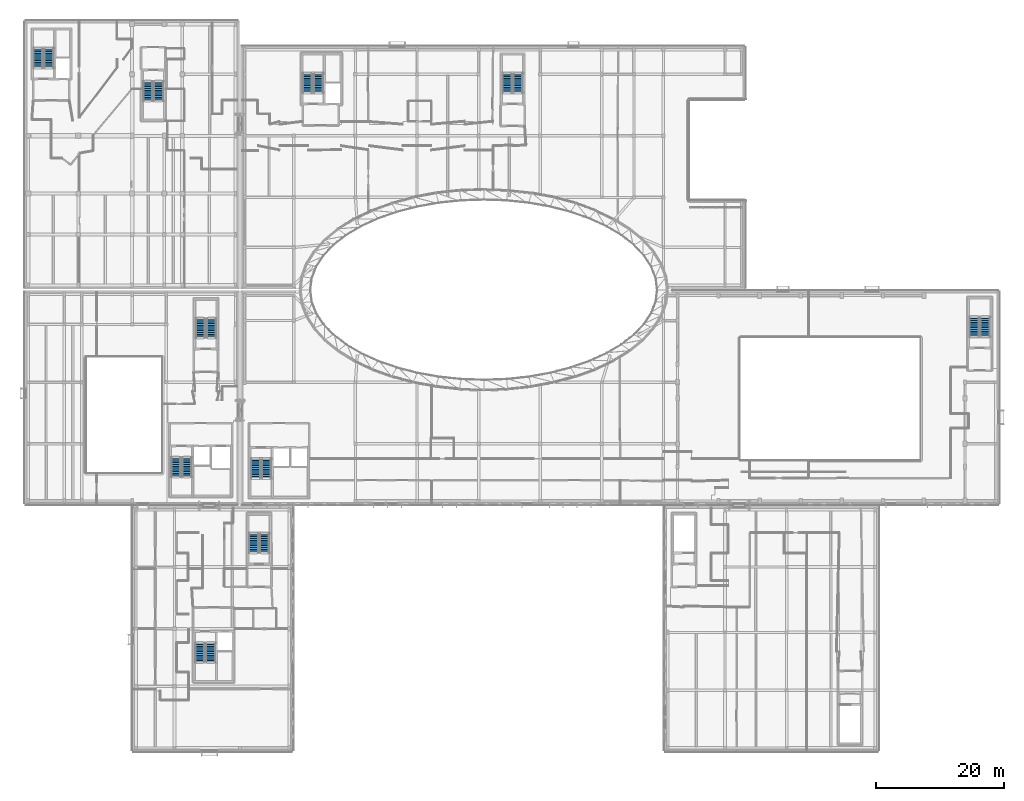
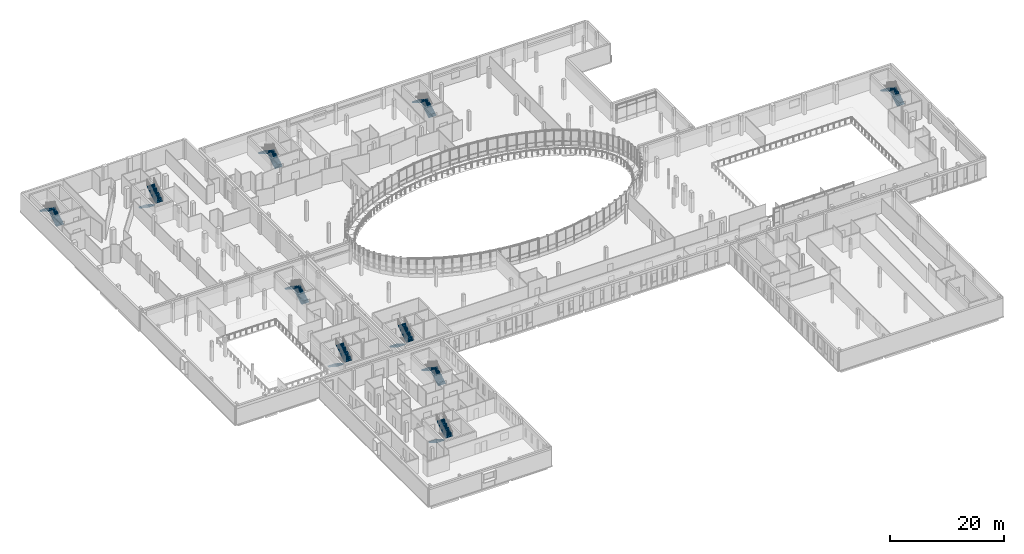
# One storey, part 56 of 84: 20 stair flights, 10 elements without a shape of their own.
"""IFC4 building model written with IfcOpenShell, lengths in metres."""

from ifc_helpers import new_model, si_unit, direction, frame, origin, place, context, subcontext, project, spatial, polyline, outline, extrude, material, type_object, element, aggregate, save


model = new_model("IFC4")

# Units and contexts
model_context = context("Model", 3, precision=1e-05, world=origin(), true_north=direction((0.0, 1.0)))
body_context = subcontext(model_context, "Body", "Model", "MODEL_VIEW")
ifc_project = project(units=[si_unit("LENGTHUNIT", "METRE"), si_unit("AREAUNIT", "SQUARE_METRE"), si_unit("VOLUMEUNIT", "CUBIC_METRE"), si_unit("PLANEANGLEUNIT", "RADIAN"), si_unit("MASSUNIT", "GRAM", prefix="KILO")], contexts=[model_context])

# Site, building, storey
site_placement = place(None, origin())
site = spatial("IfcSite", under=ifc_project, at=site_placement, CompositionType="ELEMENT")
building_placement = place(site_placement, origin())
building = spatial("IfcBuilding", under=site, at=building_placement, Name="Mzevani Central Library", CompositionType="ELEMENT")
storey_placement = place(building_placement, frame((0.0, 0.0, 5.39990234375)))
storey = spatial("IfcBuildingStorey", under=building, at=storey_placement, Name="L01", CompositionType="ELEMENT", Elevation=5.39990234375)

# Stair, stair flights
ifc_material = material(Name="Concrete C35/45", Category="concrete")
stair_type = type_object("IfcStairType", Name="Dogleg Exit Stair 175x280", PredefinedType="HALF_TURN_STAIR", material=ifc_material)
stair_1_placement = place(storey_placement, origin())
stair_1 = element("IfcStair", 1, at=stair_1_placement, inside=storey, type_object=stair_type, Name="L01 Core C1A Reading Hall West Exit Stair ST-02", PredefinedType="HALF_TURN_STAIR")
stair_flight_type = type_object("IfcStairFlightType", Name="Reinforced Concrete Stair Flight 175x280", PredefinedType="STRAIGHT", material=ifc_material)
stair_flight_1_placement = place(storey_placement, frame((48.449951171875, 49.699951171875, 0.0), z_axis=(0.0, 0.0, 1.0), x_axis=(0.0, -1.0, 0.0)))
stair_flight_1 = element("IfcStairFlight", 2, at=stair_flight_1_placement, type_object=stair_flight_type, Name="ST-01 flight 1", NumberOfRisers=12, NumberOfTreads=11, PredefinedType="STRAIGHT", RiserHeight=0.175, TreadLength=0.28, context=body_context, shape_type="SweptSolid", body=[
    extrude(outline(polyline([(0.0, 0.0), (0.0, 0.175048828125), (0.280029296875, 0.175048828125), (0.280029296875, 0.35009765625), (0.56005859375, 0.35009765625), (0.56005859375, 0.52490234375), (0.840087890625, 0.52490234375), (0.840087890625, 0.699951171875), (1.1201171875, 0.699951171875), (1.1201171875, 0.875), (1.39990234375, 0.875), (1.39990234375, 1.050048828125), (1.679931640625, 1.050048828125), (1.679931640625, 1.22509765625), (1.9599609375, 1.22509765625), (1.9599609375, 1.39990234375), (2.239990234375, 1.39990234375), (2.239990234375, 1.574951171875), (2.52001953125, 1.574951171875), (2.52001953125, 1.75), (2.800048828125, 1.75), (2.800048828125, 1.925048828125), (3.080078125, 1.925048828125), (3.080078125, 2.10009765625), (3.080078125, 1.736328125), (0.3017578125, 0.0), (0.0, 0.0)])), frame((0.0, 0.75, 0.0), z_axis=(0.0, -1.0, 0.0), x_axis=(1.0, 0.0, 0.0)), (0.0, 0.0, 1.0), 1.5),
])
stair_flight_2_placement = place(storey_placement, frame((50.14990234375, 46.6201171875, 2.10009765625), z_axis=(0.0, 0.0, 1.0), x_axis=(0.0, 1.0, 0.0)))
stair_flight_2 = element("IfcStairFlight", 3, at=stair_flight_2_placement, type_object=stair_flight_type, Name="ST-01 flight 2", NumberOfRisers=12, NumberOfTreads=11, PredefinedType="STRAIGHT", RiserHeight=0.175, TreadLength=0.28, context=body_context, shape_type="SweptSolid", body=[
    extrude(outline(polyline([(0.0, 0.0), (0.0, 0.175048828125), (0.280029296875, 0.175048828125), (0.280029296875, 0.35009765625), (0.56005859375, 0.35009765625), (0.56005859375, 0.52490234375), (0.840087890625, 0.52490234375), (0.840087890625, 0.699951171875), (1.1201171875, 0.699951171875), (1.1201171875, 0.875), (1.39990234375, 0.875), (1.39990234375, 1.050048828125), (1.679931640625, 1.050048828125), (1.679931640625, 1.22509765625), (1.9599609375, 1.22509765625), (1.9599609375, 1.39990234375), (2.239990234375, 1.39990234375), (2.239990234375, 1.574951171875), (2.52001953125, 1.574951171875), (2.52001953125, 1.75), (2.800048828125, 1.75), (2.800048828125, 1.925048828125), (3.080078125, 1.925048828125), (3.080078125, 2.10009765625), (3.080078125, 1.736328125), (0.3017578125, 0.0), (0.0, 0.0)])), frame((0.0, 0.75, 0.0), z_axis=(0.0, -1.0, 0.0), x_axis=(1.0, 0.0, 0.0)), (0.0, 0.0, 1.0), 1.5),
])
aggregate(stair_1, [stair_flight_1, stair_flight_2])

stair_2_placement = place(storey_placement, origin())
stair_2 = element("IfcStair", 4, at=stair_2_placement, inside=storey, type_object=stair_type, Name="L01 Core C1B Reading Hall East Exit Stair ST-02", PredefinedType="HALF_TURN_STAIR")
stair_flight_3_placement = place(storey_placement, frame((162.14990234375, 68.699951171875, 0.0), z_axis=(0.0, 0.0, 1.0), x_axis=(0.0, 1.0, 0.0)))
stair_flight_3 = element("IfcStairFlight", 5, at=stair_flight_3_placement, type_object=stair_flight_type, Name="ST-02 flight 1", NumberOfRisers=12, NumberOfTreads=11, PredefinedType="STRAIGHT", RiserHeight=0.175, TreadLength=0.28, context=body_context, shape_type="SweptSolid", body=[
    extrude(outline(polyline([(0.0, 0.0), (0.0, 0.175048828125), (0.280029296875, 0.175048828125), (0.280029296875, 0.35009765625), (0.56005859375, 0.35009765625), (0.56005859375, 0.52490234375), (0.840087890625, 0.52490234375), (0.840087890625, 0.699951171875), (1.1201171875, 0.699951171875), (1.1201171875, 0.875), (1.39990234375, 0.875), (1.39990234375, 1.050048828125), (1.679931640625, 1.050048828125), (1.679931640625, 1.22509765625), (1.9599609375, 1.22509765625), (1.9599609375, 1.39990234375), (2.239990234375, 1.39990234375), (2.239990234375, 1.574951171875), (2.52001953125, 1.574951171875), (2.52001953125, 1.75), (2.800048828125, 1.75), (2.800048828125, 1.925048828125), (3.080078125, 1.925048828125), (3.080078125, 2.10009765625), (3.080078125, 1.736328125), (0.3017578125, 0.0), (0.0, 0.0)])), frame((0.0, 0.75, 0.0), z_axis=(0.0, -1.0, 0.0), x_axis=(1.0, 0.0, 0.0)), (0.0, 0.0, 1.0), 1.5),
])
stair_flight_4_placement = place(storey_placement, frame((160.449951171875, 71.780029296875, 2.10009765625), z_axis=(0.0, 0.0, 1.0), x_axis=(0.0, -1.0, 0.0)))
stair_flight_4 = element("IfcStairFlight", 6, at=stair_flight_4_placement, type_object=stair_flight_type, Name="ST-02 flight 2", NumberOfRisers=12, NumberOfTreads=11, PredefinedType="STRAIGHT", RiserHeight=0.175, TreadLength=0.28, context=body_context, shape_type="SweptSolid", body=[
    extrude(outline(polyline([(0.0, 0.0), (0.0, 0.175048828125), (0.280029296875, 0.175048828125), (0.280029296875, 0.35009765625), (0.56005859375, 0.35009765625), (0.56005859375, 0.52490234375), (0.840087890625, 0.52490234375), (0.840087890625, 0.699951171875), (1.1201171875, 0.699951171875), (1.1201171875, 0.875), (1.39990234375, 0.875), (1.39990234375, 1.050048828125), (1.679931640625, 1.050048828125), (1.679931640625, 1.22509765625), (1.9599609375, 1.22509765625), (1.9599609375, 1.39990234375), (2.239990234375, 1.39990234375), (2.239990234375, 1.574951171875), (2.52001953125, 1.574951171875), (2.52001953125, 1.75), (2.800048828125, 1.75), (2.800048828125, 1.925048828125), (3.080078125, 1.925048828125), (3.080078125, 2.10009765625), (3.080078125, 1.736328125), (0.3017578125, 0.0), (0.0, 0.0)])), frame((0.0, 0.75, 0.0), z_axis=(0.0, -1.0, 0.0), x_axis=(1.0, 0.0, 0.0)), (0.0, 0.0, 1.0), 1.5),
])
aggregate(stair_2, [stair_flight_3, stair_flight_4])

stair_3_placement = place(storey_placement, origin())
stair_3 = element("IfcStair", 7, at=stair_3_placement, inside=storey, type_object=stair_type, Name="L01 Core C2A North-West Firefighting Core Exit Stair ST-02", PredefinedType="HALF_TURN_STAIR")
stair_flight_5_placement = place(storey_placement, frame((16.25, 110.60009765625, 0.0), z_axis=(0.0, 0.0, 1.0), x_axis=(0.0, 1.0, 0.0)))
stair_flight_5 = element("IfcStairFlight", 8, at=stair_flight_5_placement, type_object=stair_flight_type, Name="ST-03 flight 1", NumberOfRisers=12, NumberOfTreads=11, PredefinedType="STRAIGHT", RiserHeight=0.175, TreadLength=0.28, context=body_context, shape_type="SweptSolid", body=[
    extrude(outline(polyline([(0.0, 0.0), (0.0, 0.175048828125), (0.280029296875, 0.175048828125), (0.280029296875, 0.35009765625), (0.56005859375, 0.35009765625), (0.56005859375, 0.52490234375), (0.840087890625, 0.52490234375), (0.840087890625, 0.699951171875), (1.1201171875, 0.699951171875), (1.1201171875, 0.875), (1.39990234375, 0.875), (1.39990234375, 1.050048828125), (1.679931640625, 1.050048828125), (1.679931640625, 1.22509765625), (1.9599609375, 1.22509765625), (1.9599609375, 1.39990234375), (2.239990234375, 1.39990234375), (2.239990234375, 1.574951171875), (2.52001953125, 1.574951171875), (2.52001953125, 1.75), (2.800048828125, 1.75), (2.800048828125, 1.925048828125), (3.080078125, 1.925048828125), (3.080078125, 2.10009765625), (3.080078125, 1.736328125), (0.3017578125, 0.0), (0.0, 0.0)])), frame((0.0, 0.75, 0.0), z_axis=(0.0, -1.0, 0.0), x_axis=(1.0, 0.0, 0.0)), (0.0, 0.0, 1.0), 1.5),
])
stair_flight_6_placement = place(storey_placement, frame((14.550048828125, 113.679931640625, 2.10009765625), z_axis=(0.0, 0.0, 1.0), x_axis=(0.0, -1.0, 0.0)))
stair_flight_6 = element("IfcStairFlight", 9, at=stair_flight_6_placement, type_object=stair_flight_type, Name="ST-03 flight 2", NumberOfRisers=12, NumberOfTreads=11, PredefinedType="STRAIGHT", RiserHeight=0.175, TreadLength=0.28, context=body_context, shape_type="SweptSolid", body=[
    extrude(outline(polyline([(0.0, 0.0), (0.0, 0.175048828125), (0.280029296875, 0.175048828125), (0.280029296875, 0.35009765625), (0.56005859375, 0.35009765625), (0.56005859375, 0.52490234375), (0.840087890625, 0.52490234375), (0.840087890625, 0.699951171875), (1.1201171875, 0.699951171875), (1.1201171875, 0.875), (1.39990234375, 0.875), (1.39990234375, 1.050048828125), (1.679931640625, 1.050048828125), (1.679931640625, 1.22509765625), (1.9599609375, 1.22509765625), (1.9599609375, 1.39990234375), (2.239990234375, 1.39990234375), (2.239990234375, 1.574951171875), (2.52001953125, 1.574951171875), (2.52001953125, 1.75), (2.800048828125, 1.75), (2.800048828125, 1.925048828125), (3.080078125, 1.925048828125), (3.080078125, 2.10009765625), (3.080078125, 1.736328125), (0.3017578125, 0.0), (0.0, 0.0)])), frame((0.0, 0.75, 0.0), z_axis=(0.0, -1.0, 0.0), x_axis=(1.0, 0.0, 0.0)), (0.0, 0.0, 1.0), 1.5),
])
aggregate(stair_3, [stair_flight_5, stair_flight_6])

stair_4_placement = place(storey_placement, origin())
stair_4 = element("IfcStair", 10, at=stair_4_placement, inside=storey, type_object=stair_type, Name="L01 Core C2B Stacks East Escape Stair Exit Stair ST-02", PredefinedType="HALF_TURN_STAIR")
stair_flight_7_placement = place(storey_placement, frame((31.64990234375, 108.5, 0.0), z_axis=(0.0, 0.0, 1.0), x_axis=(0.0, -1.0, 0.0)))
stair_flight_7 = element("IfcStairFlight", 11, at=stair_flight_7_placement, type_object=stair_flight_type, Name="ST-04 flight 1", NumberOfRisers=12, NumberOfTreads=11, PredefinedType="STRAIGHT", RiserHeight=0.175, TreadLength=0.28, context=body_context, shape_type="SweptSolid", body=[
    extrude(outline(polyline([(0.0, 0.0), (0.0, 0.175048828125), (0.280029296875, 0.175048828125), (0.280029296875, 0.35009765625), (0.56005859375, 0.35009765625), (0.56005859375, 0.52490234375), (0.840087890625, 0.52490234375), (0.840087890625, 0.699951171875), (1.1201171875, 0.699951171875), (1.1201171875, 0.875), (1.39990234375, 0.875), (1.39990234375, 1.050048828125), (1.679931640625, 1.050048828125), (1.679931640625, 1.22509765625), (1.9599609375, 1.22509765625), (1.9599609375, 1.39990234375), (2.239990234375, 1.39990234375), (2.239990234375, 1.574951171875), (2.52001953125, 1.574951171875), (2.52001953125, 1.75), (2.800048828125, 1.75), (2.800048828125, 1.925048828125), (3.080078125, 1.925048828125), (3.080078125, 2.10009765625), (3.080078125, 1.736328125), (0.3017578125, 0.0), (0.0, 0.0)])), frame((0.0, 0.75, 0.0), z_axis=(0.0, -1.0, 0.0), x_axis=(1.0, 0.0, 0.0)), (0.0, 0.0, 1.0), 1.5),
])
stair_flight_8_placement = place(storey_placement, frame((33.35009765625, 105.419921875, 2.10009765625), z_axis=(0.0, 0.0, 1.0), x_axis=(0.0, 1.0, 0.0)))
stair_flight_8 = element("IfcStairFlight", 12, at=stair_flight_8_placement, type_object=stair_flight_type, Name="ST-04 flight 2", NumberOfRisers=12, NumberOfTreads=11, PredefinedType="STRAIGHT", RiserHeight=0.175, TreadLength=0.28, context=body_context, shape_type="SweptSolid", body=[
    extrude(outline(polyline([(0.0, 0.0), (0.0, 0.175048828125), (0.280029296875, 0.175048828125), (0.280029296875, 0.35009765625), (0.56005859375, 0.35009765625), (0.56005859375, 0.52490234375), (0.840087890625, 0.52490234375), (0.840087890625, 0.699951171875), (1.1201171875, 0.699951171875), (1.1201171875, 0.875), (1.39990234375, 0.875), (1.39990234375, 1.050048828125), (1.679931640625, 1.050048828125), (1.679931640625, 1.22509765625), (1.9599609375, 1.22509765625), (1.9599609375, 1.39990234375), (2.239990234375, 1.39990234375), (2.239990234375, 1.574951171875), (2.52001953125, 1.574951171875), (2.52001953125, 1.75), (2.800048828125, 1.75), (2.800048828125, 1.925048828125), (3.080078125, 1.925048828125), (3.080078125, 2.10009765625), (3.080078125, 1.736328125), (0.3017578125, 0.0), (0.0, 0.0)])), frame((0.0, 0.75, 0.0), z_axis=(0.0, -1.0, 0.0), x_axis=(1.0, 0.0, 0.0)), (0.0, 0.0, 1.0), 1.5),
])
aggregate(stair_4, [stair_flight_7, stair_flight_8])

stair_5_placement = place(storey_placement, origin())
stair_5 = element("IfcStair", 13, at=stair_5_placement, inside=storey, type_object=stair_type, Name="L01 Core C3A North-East Firefighting Core Exit Stair ST-02", PredefinedType="HALF_TURN_STAIR")
stair_flight_9_placement = place(storey_placement, frame((58.25, 106.699951171875, 0.0), z_axis=(0.0, 0.0, 1.0), x_axis=(0.0, 1.0, 0.0)))
stair_flight_9 = element("IfcStairFlight", 14, at=stair_flight_9_placement, type_object=stair_flight_type, Name="ST-05 flight 1", NumberOfRisers=12, NumberOfTreads=11, PredefinedType="STRAIGHT", RiserHeight=0.175, TreadLength=0.28, context=body_context, shape_type="SweptSolid", body=[
    extrude(outline(polyline([(0.0, 0.0), (0.0, 0.175048828125), (0.280029296875, 0.175048828125), (0.280029296875, 0.35009765625), (0.56005859375, 0.35009765625), (0.56005859375, 0.52490234375), (0.840087890625, 0.52490234375), (0.840087890625, 0.699951171875), (1.1201171875, 0.699951171875), (1.1201171875, 0.875), (1.39990234375, 0.875), (1.39990234375, 1.050048828125), (1.679931640625, 1.050048828125), (1.679931640625, 1.22509765625), (1.9599609375, 1.22509765625), (1.9599609375, 1.39990234375), (2.239990234375, 1.39990234375), (2.239990234375, 1.574951171875), (2.52001953125, 1.574951171875), (2.52001953125, 1.75), (2.800048828125, 1.75), (2.800048828125, 1.925048828125), (3.080078125, 1.925048828125), (3.080078125, 2.10009765625), (3.080078125, 1.736328125), (0.3017578125, 0.0), (0.0, 0.0)])), frame((0.0, 0.75, 0.0), z_axis=(0.0, -1.0, 0.0), x_axis=(1.0, 0.0, 0.0)), (0.0, 0.0, 1.0), 1.5),
])
stair_flight_10_placement = place(storey_placement, frame((56.550048828125, 109.780029296875, 2.10009765625), z_axis=(0.0, 0.0, 1.0), x_axis=(0.0, -1.0, 0.0)))
stair_flight_10 = element("IfcStairFlight", 15, at=stair_flight_10_placement, type_object=stair_flight_type, Name="ST-05 flight 2", NumberOfRisers=12, NumberOfTreads=11, PredefinedType="STRAIGHT", RiserHeight=0.175, TreadLength=0.28, context=body_context, shape_type="SweptSolid", body=[
    extrude(outline(polyline([(0.0, 0.0), (0.0, 0.175048828125), (0.280029296875, 0.175048828125), (0.280029296875, 0.35009765625), (0.56005859375, 0.35009765625), (0.56005859375, 0.52490234375), (0.840087890625, 0.52490234375), (0.840087890625, 0.699951171875), (1.1201171875, 0.699951171875), (1.1201171875, 0.875), (1.39990234375, 0.875), (1.39990234375, 1.050048828125), (1.679931640625, 1.050048828125), (1.679931640625, 1.22509765625), (1.9599609375, 1.22509765625), (1.9599609375, 1.39990234375), (2.239990234375, 1.39990234375), (2.239990234375, 1.574951171875), (2.52001953125, 1.574951171875), (2.52001953125, 1.75), (2.800048828125, 1.75), (2.800048828125, 1.925048828125), (3.080078125, 1.925048828125), (3.080078125, 2.10009765625), (3.080078125, 1.736328125), (0.3017578125, 0.0), (0.0, 0.0)])), frame((0.0, 0.75, 0.0), z_axis=(0.0, -1.0, 0.0), x_axis=(1.0, 0.0, 0.0)), (0.0, 0.0, 1.0), 1.5),
])
aggregate(stair_5, [stair_flight_9, stair_flight_10])

stair_6_placement = place(storey_placement, origin())
stair_6 = element("IfcStair", 16, at=stair_6_placement, inside=storey, type_object=stair_type, Name="L01 Core C3B Atrium East Escape Stair Exit Stair ST-02", PredefinedType="HALF_TURN_STAIR")
stair_flight_11_placement = place(storey_placement, frame((89.35009765625, 106.699951171875, 0.0), z_axis=(0.0, 0.0, 1.0), x_axis=(0.0, 1.0, 0.0)))
stair_flight_11 = element("IfcStairFlight", 17, at=stair_flight_11_placement, type_object=stair_flight_type, Name="ST-06 flight 1", NumberOfRisers=12, NumberOfTreads=11, PredefinedType="STRAIGHT", RiserHeight=0.175, TreadLength=0.28, context=body_context, shape_type="SweptSolid", body=[
    extrude(outline(polyline([(0.0, 0.0), (0.0, 0.175048828125), (0.280029296875, 0.175048828125), (0.280029296875, 0.35009765625), (0.56005859375, 0.35009765625), (0.56005859375, 0.52490234375), (0.840087890625, 0.52490234375), (0.840087890625, 0.699951171875), (1.1201171875, 0.699951171875), (1.1201171875, 0.875), (1.39990234375, 0.875), (1.39990234375, 1.050048828125), (1.679931640625, 1.050048828125), (1.679931640625, 1.22509765625), (1.9599609375, 1.22509765625), (1.9599609375, 1.39990234375), (2.239990234375, 1.39990234375), (2.239990234375, 1.574951171875), (2.52001953125, 1.574951171875), (2.52001953125, 1.75), (2.800048828125, 1.75), (2.800048828125, 1.925048828125), (3.080078125, 1.925048828125), (3.080078125, 2.10009765625), (3.080078125, 1.736328125), (0.3017578125, 0.0), (0.0, 0.0)])), frame((0.0, 0.75, 0.0), z_axis=(0.0, -1.0, 0.0), x_axis=(1.0, 0.0, 0.0)), (0.0, 0.0, 1.0), 1.5),
])
stair_flight_12_placement = place(storey_placement, frame((87.64990234375, 109.780029296875, 2.10009765625), z_axis=(0.0, 0.0, 1.0), x_axis=(0.0, -1.0, 0.0)))
stair_flight_12 = element("IfcStairFlight", 18, at=stair_flight_12_placement, type_object=stair_flight_type, Name="ST-06 flight 2", NumberOfRisers=12, NumberOfTreads=11, PredefinedType="STRAIGHT", RiserHeight=0.175, TreadLength=0.28, context=body_context, shape_type="SweptSolid", body=[
    extrude(outline(polyline([(0.0, 0.0), (0.0, 0.175048828125), (0.280029296875, 0.175048828125), (0.280029296875, 0.35009765625), (0.56005859375, 0.35009765625), (0.56005859375, 0.52490234375), (0.840087890625, 0.52490234375), (0.840087890625, 0.699951171875), (1.1201171875, 0.699951171875), (1.1201171875, 0.875), (1.39990234375, 0.875), (1.39990234375, 1.050048828125), (1.679931640625, 1.050048828125), (1.679931640625, 1.22509765625), (1.9599609375, 1.22509765625), (1.9599609375, 1.39990234375), (2.239990234375, 1.39990234375), (2.239990234375, 1.574951171875), (2.52001953125, 1.574951171875), (2.52001953125, 1.75), (2.800048828125, 1.75), (2.800048828125, 1.925048828125), (3.080078125, 1.925048828125), (3.080078125, 2.10009765625), (3.080078125, 1.736328125), (0.3017578125, 0.0), (0.0, 0.0)])), frame((0.0, 0.75, 0.0), z_axis=(0.0, -1.0, 0.0), x_axis=(1.0, 0.0, 0.0)), (0.0, 0.0, 1.0), 1.5),
])
aggregate(stair_6, [stair_flight_11, stair_flight_12])

stair_7_placement = place(storey_placement, origin())
stair_7 = element("IfcStair", 19, at=stair_7_placement, inside=storey, type_object=stair_type, Name="L01 Core C4A Cultural Wing Core Exit Stair ST-02", PredefinedType="HALF_TURN_STAIR")
stair_flight_13_placement = place(storey_placement, frame((39.75, 21.0, 0.0), z_axis=(0.0, 0.0, 1.0), x_axis=(0.0, -1.0, 0.0)))
stair_flight_13 = element("IfcStairFlight", 20, at=stair_flight_13_placement, type_object=stair_flight_type, Name="ST-07 flight 1", NumberOfRisers=12, NumberOfTreads=11, PredefinedType="STRAIGHT", RiserHeight=0.175, TreadLength=0.28, context=body_context, shape_type="SweptSolid", body=[
    extrude(outline(polyline([(0.0, 0.0), (0.0, 0.175048828125), (0.280029296875, 0.175048828125), (0.280029296875, 0.35009765625), (0.56005859375, 0.35009765625), (0.56005859375, 0.52490234375), (0.840087890625, 0.52490234375), (0.840087890625, 0.699951171875), (1.1201171875, 0.699951171875), (1.1201171875, 0.875), (1.39990234375, 0.875), (1.39990234375, 1.050048828125), (1.679931640625, 1.050048828125), (1.679931640625, 1.22509765625), (1.9599609375, 1.22509765625), (1.9599609375, 1.39990234375), (2.239990234375, 1.39990234375), (2.239990234375, 1.574951171875), (2.52001953125, 1.574951171875), (2.52001953125, 1.75), (2.800048828125, 1.75), (2.800048828125, 1.925048828125), (3.080078125, 1.925048828125), (3.080078125, 2.10009765625), (3.080078125, 1.736328125), (0.3017578125, 0.0), (0.0, 0.0)])), frame((0.0, 0.75, 0.0), z_axis=(0.0, -1.0, 0.0), x_axis=(1.0, 0.0, 0.0)), (0.0, 0.0, 1.0), 1.5),
])
stair_flight_14_placement = place(storey_placement, frame((41.449951171875, 17.919921875, 2.10009765625), z_axis=(0.0, 0.0, 1.0), x_axis=(0.0, 1.0, 0.0)))
stair_flight_14 = element("IfcStairFlight", 21, at=stair_flight_14_placement, type_object=stair_flight_type, Name="ST-07 flight 2", NumberOfRisers=12, NumberOfTreads=11, PredefinedType="STRAIGHT", RiserHeight=0.175, TreadLength=0.28, context=body_context, shape_type="SweptSolid", body=[
    extrude(outline(polyline([(0.0, 0.0), (0.0, 0.175048828125), (0.280029296875, 0.175048828125), (0.280029296875, 0.35009765625), (0.56005859375, 0.35009765625), (0.56005859375, 0.52490234375), (0.840087890625, 0.52490234375), (0.840087890625, 0.699951171875), (1.1201171875, 0.699951171875), (1.1201171875, 0.875), (1.39990234375, 0.875), (1.39990234375, 1.050048828125), (1.679931640625, 1.050048828125), (1.679931640625, 1.22509765625), (1.9599609375, 1.22509765625), (1.9599609375, 1.39990234375), (2.239990234375, 1.39990234375), (2.239990234375, 1.574951171875), (2.52001953125, 1.574951171875), (2.52001953125, 1.75), (2.800048828125, 1.75), (2.800048828125, 1.925048828125), (3.080078125, 1.925048828125), (3.080078125, 2.10009765625), (3.080078125, 1.736328125), (0.3017578125, 0.0), (0.0, 0.0)])), frame((0.0, 0.75, 0.0), z_axis=(0.0, -1.0, 0.0), x_axis=(1.0, 0.0, 0.0)), (0.0, 0.0, 1.0), 1.5),
])
aggregate(stair_7, [stair_flight_13, stair_flight_14])

stair_8_placement = place(storey_placement, origin())
stair_8 = element("IfcStair", 22, at=stair_8_placement, inside=storey, type_object=stair_type, Name="L01 Core C4B Square South Escape Stair Exit Stair ST-02", PredefinedType="HALF_TURN_STAIR")
stair_flight_15_placement = place(storey_placement, frame((49.85009765625, 35.0, 0.0), z_axis=(0.0, 0.0, 1.0), x_axis=(0.0, 1.0, 0.0)))
stair_flight_15 = element("IfcStairFlight", 23, at=stair_flight_15_placement, type_object=stair_flight_type, Name="ST-08 flight 1", NumberOfRisers=12, NumberOfTreads=11, PredefinedType="STRAIGHT", RiserHeight=0.175, TreadLength=0.28, context=body_context, shape_type="SweptSolid", body=[
    extrude(outline(polyline([(0.0, 0.0), (0.0, 0.175048828125), (0.280029296875, 0.175048828125), (0.280029296875, 0.35009765625), (0.56005859375, 0.35009765625), (0.56005859375, 0.52490234375), (0.840087890625, 0.52490234375), (0.840087890625, 0.699951171875), (1.1201171875, 0.699951171875), (1.1201171875, 0.875), (1.39990234375, 0.875), (1.39990234375, 1.050048828125), (1.679931640625, 1.050048828125), (1.679931640625, 1.22509765625), (1.9599609375, 1.22509765625), (1.9599609375, 1.39990234375), (2.239990234375, 1.39990234375), (2.239990234375, 1.574951171875), (2.52001953125, 1.574951171875), (2.52001953125, 1.75), (2.800048828125, 1.75), (2.800048828125, 1.925048828125), (3.080078125, 1.925048828125), (3.080078125, 2.10009765625), (3.080078125, 1.736328125), (0.3017578125, 0.0), (0.0, 0.0)])), frame((0.0, 0.75, 0.0), z_axis=(0.0, -1.0, 0.0), x_axis=(1.0, 0.0, 0.0)), (0.0, 0.0, 1.0), 1.5),
])
stair_flight_16_placement = place(storey_placement, frame((48.14990234375, 38.080078125, 2.10009765625), z_axis=(0.0, 0.0, 1.0), x_axis=(0.0, -1.0, 0.0)))
stair_flight_16 = element("IfcStairFlight", 24, at=stair_flight_16_placement, type_object=stair_flight_type, Name="ST-08 flight 2", NumberOfRisers=12, NumberOfTreads=11, PredefinedType="STRAIGHT", RiserHeight=0.175, TreadLength=0.28, context=body_context, shape_type="SweptSolid", body=[
    extrude(outline(polyline([(0.0, 0.0), (0.0, 0.175048828125), (0.280029296875, 0.175048828125), (0.280029296875, 0.35009765625), (0.56005859375, 0.35009765625), (0.56005859375, 0.52490234375), (0.840087890625, 0.52490234375), (0.840087890625, 0.699951171875), (1.1201171875, 0.699951171875), (1.1201171875, 0.875), (1.39990234375, 0.875), (1.39990234375, 1.050048828125), (1.679931640625, 1.050048828125), (1.679931640625, 1.22509765625), (1.9599609375, 1.22509765625), (1.9599609375, 1.39990234375), (2.239990234375, 1.39990234375), (2.239990234375, 1.574951171875), (2.52001953125, 1.574951171875), (2.52001953125, 1.75), (2.800048828125, 1.75), (2.800048828125, 1.925048828125), (3.080078125, 1.925048828125), (3.080078125, 2.10009765625), (3.080078125, 1.736328125), (0.3017578125, 0.0), (0.0, 0.0)])), frame((0.0, 0.75, 0.0), z_axis=(0.0, -1.0, 0.0), x_axis=(1.0, 0.0, 0.0)), (0.0, 0.0, 1.0), 1.5),
])
aggregate(stair_8, [stair_flight_15, stair_flight_16])

stair_9_placement = place(storey_placement, origin())
stair_9 = element("IfcStair", 25, at=stair_9_placement, inside=storey, type_object=stair_type, Name="L01 Core C5A Auditorium & Goods Core Exit Stair ST-02", PredefinedType="HALF_TURN_STAIR")
stair_flight_17_placement = place(storey_placement, frame((36.050048828125, 49.89990234375, 0.0), z_axis=(0.0, 0.0, 1.0), x_axis=(0.0, -1.0, 0.0)))
stair_flight_17 = element("IfcStairFlight", 26, at=stair_flight_17_placement, type_object=stair_flight_type, Name="ST-09 flight 1", NumberOfRisers=12, NumberOfTreads=11, PredefinedType="STRAIGHT", RiserHeight=0.175, TreadLength=0.28, context=body_context, shape_type="SweptSolid", body=[
    extrude(outline(polyline([(0.0, 0.0), (0.0, 0.175048828125), (0.280029296875, 0.175048828125), (0.280029296875, 0.35009765625), (0.56005859375, 0.35009765625), (0.56005859375, 0.52490234375), (0.840087890625, 0.52490234375), (0.840087890625, 0.699951171875), (1.1201171875, 0.699951171875), (1.1201171875, 0.875), (1.39990234375, 0.875), (1.39990234375, 1.050048828125), (1.679931640625, 1.050048828125), (1.679931640625, 1.22509765625), (1.9599609375, 1.22509765625), (1.9599609375, 1.39990234375), (2.239990234375, 1.39990234375), (2.239990234375, 1.574951171875), (2.52001953125, 1.574951171875), (2.52001953125, 1.75), (2.800048828125, 1.75), (2.800048828125, 1.925048828125), (3.080078125, 1.925048828125), (3.080078125, 2.10009765625), (3.080078125, 1.736328125), (0.3017578125, 0.0), (0.0, 0.0)])), frame((0.0, 0.75, 0.0), z_axis=(0.0, -1.0, 0.0), x_axis=(1.0, 0.0, 0.0)), (0.0, 0.0, 1.0), 1.5),
])
stair_flight_18_placement = place(storey_placement, frame((37.75, 46.820068359375, 2.10009765625), z_axis=(0.0, 0.0, 1.0), x_axis=(0.0, 1.0, 0.0)))
stair_flight_18 = element("IfcStairFlight", 27, at=stair_flight_18_placement, type_object=stair_flight_type, Name="ST-09 flight 2", NumberOfRisers=12, NumberOfTreads=11, PredefinedType="STRAIGHT", RiserHeight=0.175, TreadLength=0.28, context=body_context, shape_type="SweptSolid", body=[
    extrude(outline(polyline([(0.0, 0.0), (0.0, 0.175048828125), (0.280029296875, 0.175048828125), (0.280029296875, 0.35009765625), (0.56005859375, 0.35009765625), (0.56005859375, 0.52490234375), (0.840087890625, 0.52490234375), (0.840087890625, 0.699951171875), (1.1201171875, 0.699951171875), (1.1201171875, 0.875), (1.39990234375, 0.875), (1.39990234375, 1.050048828125), (1.679931640625, 1.050048828125), (1.679931640625, 1.22509765625), (1.9599609375, 1.22509765625), (1.9599609375, 1.39990234375), (2.239990234375, 1.39990234375), (2.239990234375, 1.574951171875), (2.52001953125, 1.574951171875), (2.52001953125, 1.75), (2.800048828125, 1.75), (2.800048828125, 1.925048828125), (3.080078125, 1.925048828125), (3.080078125, 2.10009765625), (3.080078125, 1.736328125), (0.3017578125, 0.0), (0.0, 0.0)])), frame((0.0, 0.75, 0.0), z_axis=(0.0, -1.0, 0.0), x_axis=(1.0, 0.0, 0.0)), (0.0, 0.0, 1.0), 1.5),
])
aggregate(stair_9, [stair_flight_17, stair_flight_18])

stair_10_placement = place(storey_placement, origin())
stair_10 = element("IfcStair", 28, at=stair_10_placement, inside=storey, type_object=stair_type, Name="L01 Core C5B Lecture North Escape Stair Exit Stair ST-02", PredefinedType="HALF_TURN_STAIR")
stair_flight_19_placement = place(storey_placement, frame((41.550048828125, 68.5, 0.0), z_axis=(0.0, 0.0, 1.0), x_axis=(0.0, 1.0, 0.0)))
stair_flight_19 = element("IfcStairFlight", 29, at=stair_flight_19_placement, type_object=stair_flight_type, Name="ST-10 flight 1", NumberOfRisers=12, NumberOfTreads=11, PredefinedType="STRAIGHT", RiserHeight=0.175, TreadLength=0.28, context=body_context, shape_type="SweptSolid", body=[
    extrude(outline(polyline([(0.0, 0.0), (0.0, 0.175048828125), (0.280029296875, 0.175048828125), (0.280029296875, 0.35009765625), (0.56005859375, 0.35009765625), (0.56005859375, 0.52490234375), (0.840087890625, 0.52490234375), (0.840087890625, 0.699951171875), (1.1201171875, 0.699951171875), (1.1201171875, 0.875), (1.39990234375, 0.875), (1.39990234375, 1.050048828125), (1.679931640625, 1.050048828125), (1.679931640625, 1.22509765625), (1.9599609375, 1.22509765625), (1.9599609375, 1.39990234375), (2.239990234375, 1.39990234375), (2.239990234375, 1.574951171875), (2.52001953125, 1.574951171875), (2.52001953125, 1.75), (2.800048828125, 1.75), (2.800048828125, 1.925048828125), (3.080078125, 1.925048828125), (3.080078125, 2.10009765625), (3.080078125, 1.736328125), (0.3017578125, 0.0), (0.0, 0.0)])), frame((0.0, 0.75, 0.0), z_axis=(0.0, -1.0, 0.0), x_axis=(1.0, 0.0, 0.0)), (0.0, 0.0, 1.0), 1.5),
])
stair_flight_20_placement = place(storey_placement, frame((39.85009765625, 71.580078125, 2.10009765625), z_axis=(0.0, 0.0, 1.0), x_axis=(0.0, -1.0, 0.0)))
stair_flight_20 = element("IfcStairFlight", 30, at=stair_flight_20_placement, type_object=stair_flight_type, Name="ST-10 flight 2", NumberOfRisers=12, NumberOfTreads=11, PredefinedType="STRAIGHT", RiserHeight=0.175, TreadLength=0.28, context=body_context, shape_type="SweptSolid", body=[
    extrude(outline(polyline([(0.0, 0.0), (0.0, 0.175048828125), (0.280029296875, 0.175048828125), (0.280029296875, 0.35009765625), (0.56005859375, 0.35009765625), (0.56005859375, 0.52490234375), (0.840087890625, 0.52490234375), (0.840087890625, 0.699951171875), (1.1201171875, 0.699951171875), (1.1201171875, 0.875), (1.39990234375, 0.875), (1.39990234375, 1.050048828125), (1.679931640625, 1.050048828125), (1.679931640625, 1.22509765625), (1.9599609375, 1.22509765625), (1.9599609375, 1.39990234375), (2.239990234375, 1.39990234375), (2.239990234375, 1.574951171875), (2.52001953125, 1.574951171875), (2.52001953125, 1.75), (2.800048828125, 1.75), (2.800048828125, 1.925048828125), (3.080078125, 1.925048828125), (3.080078125, 2.10009765625), (3.080078125, 1.736328125), (0.3017578125, 0.0), (0.0, 0.0)])), frame((0.0, 0.75, 0.0), z_axis=(0.0, -1.0, 0.0), x_axis=(1.0, 0.0, 0.0)), (0.0, 0.0, 1.0), 1.5),
])
aggregate(stair_10, [stair_flight_19, stair_flight_20])

save(model, "model.ifc")
